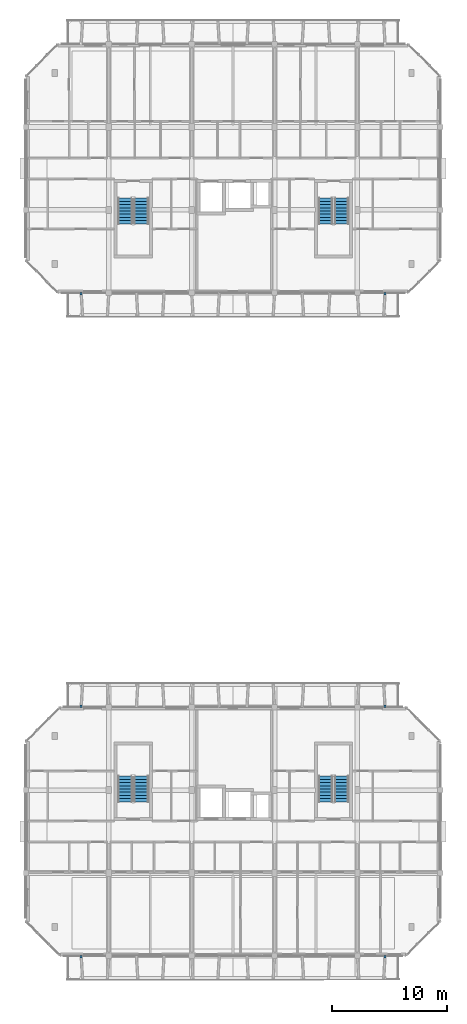
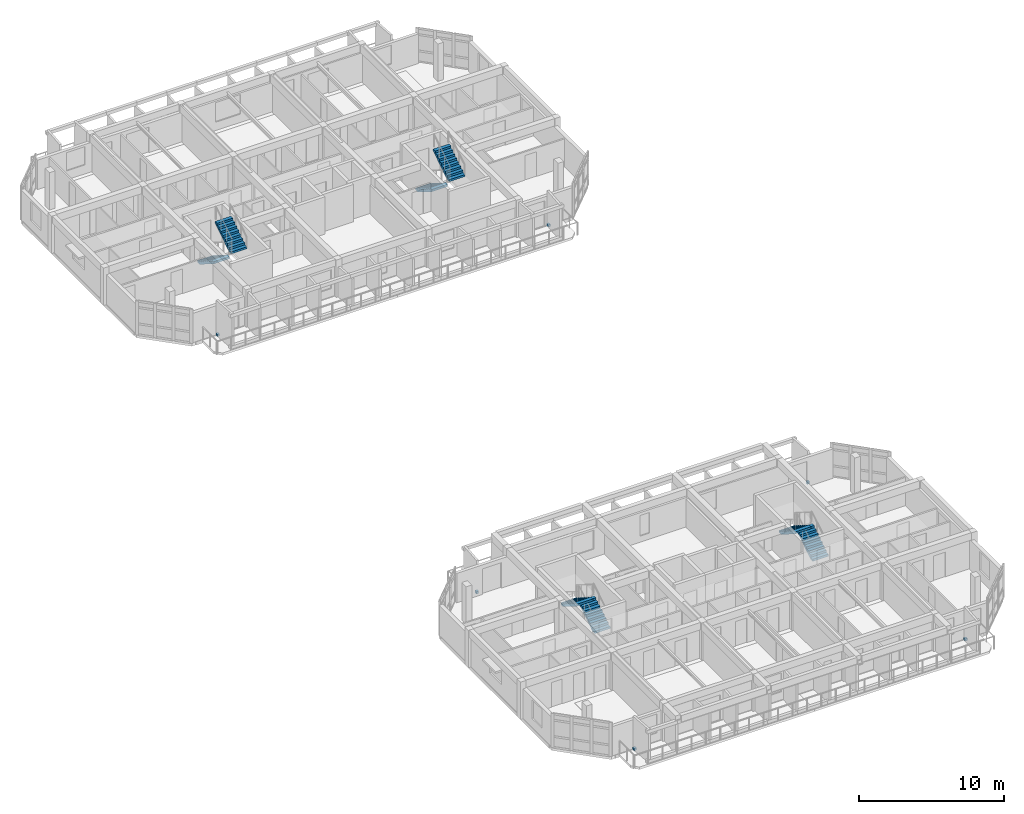
# One storey, part 15 of 22: 8 stair flights, 6 discrete accessories, 4 elements without a shape of their own.
"""IFC4 building model written with IfcOpenShell, lengths in metres."""

from ifc_helpers import new_model, si_unit, direction, frame, origin, origin_2d, place, context, subcontext, project, spatial, polyline, rectangle, outline, extrude, material, type_object, element, aggregate, save


model = new_model("IFC4")

# Units and contexts
model_context = context("Model", 3, precision=1e-05, world=origin(), true_north=direction((0.0, 1.0)))
body_context = subcontext(model_context, "Body", "Model", "MODEL_VIEW")
ifc_project = project(units=[si_unit("LENGTHUNIT", "METRE"), si_unit("AREAUNIT", "SQUARE_METRE"), si_unit("VOLUMEUNIT", "CUBIC_METRE"), si_unit("PLANEANGLEUNIT", "RADIAN"), si_unit("MASSUNIT", "GRAM", prefix="KILO")], contexts=[model_context])

# Site, building, storey
site_placement = place(None, origin())
site = spatial("IfcSite", under=ifc_project, at=site_placement, CompositionType="ELEMENT")
building_placement = place(site_placement, origin())
building = spatial("IfcBuilding", under=site, at=building_placement, Name="Ochrevale Crest", CompositionType="ELEMENT")
storey_placement = place(building_placement, frame((0.0, 0.0, 40.199951171875)))
storey = spatial("IfcBuildingStorey", under=building, at=storey_placement, Name="L12", CompositionType="ELEMENT", Elevation=40.199951171875)

# Stair, stair flights
ifc_material_1 = material(Name="Precast concrete C40/50", Category="concrete")
stair_type = type_object("IfcStairType", Name="ST-CORE-DOG", PredefinedType="HALF_TURN_STAIR", material=ifc_material_1)
stair_1_placement = place(storey_placement, origin())
stair_1 = element("IfcStair", 1, at=stair_1_placement, inside=storey, type_object=stair_type, Name="L12 Block C Fire Stair 1", PredefinedType="HALF_TURN_STAIR")
stair_flight_type = type_object("IfcStairFlightType", Name="SFL-CORE-125", PredefinedType="STRAIGHT", material=ifc_material_1)
stair_flight_1_placement = place(storey_placement, frame((139.625, 27.77490234375, 0.0), z_axis=(0.0, 0.0, 1.0), x_axis=(0.0, 1.0, 0.0)))
stair_flight_1 = element("IfcStairFlight", 2, at=stair_flight_1_placement, type_object=stair_flight_type, Name="ST-C1 flight 1", NumberOfRisers=9, NumberOfTreads=8, PredefinedType="STRAIGHT", RiserHeight=0.175, TreadLength=0.28, context=body_context, shape_type="SweptSolid", body=[
    extrude(outline(polyline([(0.0, 0.0), (0.0, 0.175048828125), (0.280029296875, 0.175048828125), (0.280029296875, 0.35009765625), (0.56005859375, 0.35009765625), (0.56005859375, 0.52490234375), (0.840087890625, 0.52490234375), (0.840087890625, 0.699951171875), (1.1201171875, 0.699951171875), (1.1201171875, 0.875), (1.39990234375, 0.875), (1.39990234375, 1.050048828125), (1.679931640625, 1.050048828125), (1.679931640625, 1.22509765625), (1.9599609375, 1.22509765625), (1.9599609375, 1.39990234375), (2.239990234375, 1.39990234375), (2.239990234375, 1.574951171875), (2.239990234375, 1.22314453125), (0.28271484375, 0.0), (0.0, 0.0)])), frame((0.0, 0.625, 0.0), z_axis=(0.0, -1.0, 0.0), x_axis=(1.0, 0.0, 0.0)), (0.0, 0.0, 1.0), 1.25),
])
stair_flight_2_placement = place(storey_placement, frame((138.22509765625, 30.014892578125, 1.574951171875), z_axis=(0.0, 0.0, 1.0), x_axis=(0.0, -1.0, 0.0)))
stair_flight_2 = element("IfcStairFlight", 3, at=stair_flight_2_placement, type_object=stair_flight_type, Name="ST-C1 flight 2", NumberOfRisers=9, NumberOfTreads=8, PredefinedType="STRAIGHT", RiserHeight=0.175, TreadLength=0.28, context=body_context, shape_type="SweptSolid", body=[
    extrude(outline(polyline([(0.0, 0.0), (0.0, 0.175048828125), (0.280029296875, 0.175048828125), (0.280029296875, 0.35009765625), (0.56005859375, 0.35009765625), (0.56005859375, 0.52490234375), (0.840087890625, 0.52490234375), (0.840087890625, 0.699951171875), (1.1201171875, 0.699951171875), (1.1201171875, 0.875), (1.39990234375, 0.875), (1.39990234375, 1.050048828125), (1.679931640625, 1.050048828125), (1.679931640625, 1.22509765625), (1.9599609375, 1.22509765625), (1.9599609375, 1.39990234375), (2.239990234375, 1.39990234375), (2.239990234375, 1.574951171875), (2.239990234375, 1.22314453125), (0.28271484375, 0.0), (0.0, 0.0)])), frame((0.0, 0.625, 0.0), z_axis=(0.0, -1.0, 0.0), x_axis=(1.0, 0.0, 0.0)), (0.0, 0.0, 1.0), 1.25),
])
aggregate(stair_1, [stair_flight_1, stair_flight_2])

stair_2_placement = place(storey_placement, origin())
stair_2 = element("IfcStair", 4, at=stair_2_placement, inside=storey, type_object=stair_type, Name="L12 Block C Fire Stair 2", PredefinedType="HALF_TURN_STAIR")
stair_flight_3_placement = place(storey_placement, frame((157.02490234375, 27.77490234375, 0.0), z_axis=(0.0, 0.0, 1.0), x_axis=(0.0, 1.0, 0.0)))
stair_flight_3 = element("IfcStairFlight", 5, at=stair_flight_3_placement, type_object=stair_flight_type, Name="ST-C2 flight 1", NumberOfRisers=9, NumberOfTreads=8, PredefinedType="STRAIGHT", RiserHeight=0.175, TreadLength=0.28, context=body_context, shape_type="SweptSolid", body=[
    extrude(outline(polyline([(0.0, 0.0), (0.0, 0.175048828125), (0.280029296875, 0.175048828125), (0.280029296875, 0.35009765625), (0.56005859375, 0.35009765625), (0.56005859375, 0.52490234375), (0.840087890625, 0.52490234375), (0.840087890625, 0.699951171875), (1.1201171875, 0.699951171875), (1.1201171875, 0.875), (1.39990234375, 0.875), (1.39990234375, 1.050048828125), (1.679931640625, 1.050048828125), (1.679931640625, 1.22509765625), (1.9599609375, 1.22509765625), (1.9599609375, 1.39990234375), (2.239990234375, 1.39990234375), (2.239990234375, 1.574951171875), (2.239990234375, 1.22314453125), (0.28271484375, 0.0), (0.0, 0.0)])), frame((0.0, 0.625, 0.0), z_axis=(0.0, -1.0, 0.0), x_axis=(1.0, 0.0, 0.0)), (0.0, 0.0, 1.0), 1.25),
])
stair_flight_4_placement = place(storey_placement, frame((155.625, 30.014892578125, 1.574951171875), z_axis=(0.0, 0.0, 1.0), x_axis=(0.0, -1.0, 0.0)))
stair_flight_4 = element("IfcStairFlight", 6, at=stair_flight_4_placement, type_object=stair_flight_type, Name="ST-C2 flight 2", NumberOfRisers=9, NumberOfTreads=8, PredefinedType="STRAIGHT", RiserHeight=0.175, TreadLength=0.28, context=body_context, shape_type="SweptSolid", body=[
    extrude(outline(polyline([(0.0, 0.0), (0.0, 0.175048828125), (0.280029296875, 0.175048828125), (0.280029296875, 0.35009765625), (0.56005859375, 0.35009765625), (0.56005859375, 0.52490234375), (0.840087890625, 0.52490234375), (0.840087890625, 0.699951171875), (1.1201171875, 0.699951171875), (1.1201171875, 0.875), (1.39990234375, 0.875), (1.39990234375, 1.050048828125), (1.679931640625, 1.050048828125), (1.679931640625, 1.22509765625), (1.9599609375, 1.22509765625), (1.9599609375, 1.39990234375), (2.239990234375, 1.39990234375), (2.239990234375, 1.574951171875), (2.239990234375, 1.22314453125), (0.28271484375, 0.0), (0.0, 0.0)])), frame((0.0, 0.625, 0.0), z_axis=(0.0, -1.0, 0.0), x_axis=(1.0, 0.0, 0.0)), (0.0, 0.0, 1.0), 1.25),
])
aggregate(stair_2, [stair_flight_3, stair_flight_4])

stair_3_placement = place(storey_placement, origin())
stair_3 = element("IfcStair", 7, at=stair_3_placement, inside=storey, type_object=stair_type, Name="L12 Block D Fire Stair 1", PredefinedType="HALF_TURN_STAIR")
stair_flight_5_placement = place(storey_placement, frame((138.22509765625, 80.22509765625, 0.0), z_axis=(0.0, 0.0, 1.0), x_axis=(0.0, -1.0, 0.0)))
stair_flight_5 = element("IfcStairFlight", 8, at=stair_flight_5_placement, type_object=stair_flight_type, Name="ST-D1 flight 1", NumberOfRisers=9, NumberOfTreads=8, PredefinedType="STRAIGHT", RiserHeight=0.175, TreadLength=0.28, context=body_context, shape_type="SweptSolid", body=[
    extrude(outline(polyline([(0.0, 0.0), (0.0, 0.175048828125), (0.280029296875, 0.175048828125), (0.280029296875, 0.35009765625), (0.56005859375, 0.35009765625), (0.56005859375, 0.52490234375), (0.840087890625, 0.52490234375), (0.840087890625, 0.699951171875), (1.1201171875, 0.699951171875), (1.1201171875, 0.875), (1.39990234375, 0.875), (1.39990234375, 1.050048828125), (1.679931640625, 1.050048828125), (1.679931640625, 1.22509765625), (1.9599609375, 1.22509765625), (1.9599609375, 1.39990234375), (2.239990234375, 1.39990234375), (2.239990234375, 1.574951171875), (2.239990234375, 1.22314453125), (0.28271484375, 0.0), (0.0, 0.0)])), frame((0.0, 0.625, 0.0), z_axis=(0.0, -1.0, 0.0), x_axis=(1.0, 0.0, 0.0)), (0.0, 0.0, 1.0), 1.25),
])
stair_flight_6_placement = place(storey_placement, frame((139.625, 77.985107421875, 1.574951171875), z_axis=(0.0, 0.0, 1.0), x_axis=(0.0, 1.0, 0.0)))
stair_flight_6 = element("IfcStairFlight", 9, at=stair_flight_6_placement, type_object=stair_flight_type, Name="ST-D1 flight 2", NumberOfRisers=9, NumberOfTreads=8, PredefinedType="STRAIGHT", RiserHeight=0.175, TreadLength=0.28, context=body_context, shape_type="SweptSolid", body=[
    extrude(outline(polyline([(0.0, 0.0), (0.0, 0.175048828125), (0.280029296875, 0.175048828125), (0.280029296875, 0.35009765625), (0.56005859375, 0.35009765625), (0.56005859375, 0.52490234375), (0.840087890625, 0.52490234375), (0.840087890625, 0.699951171875), (1.1201171875, 0.699951171875), (1.1201171875, 0.875), (1.39990234375, 0.875), (1.39990234375, 1.050048828125), (1.679931640625, 1.050048828125), (1.679931640625, 1.22509765625), (1.9599609375, 1.22509765625), (1.9599609375, 1.39990234375), (2.239990234375, 1.39990234375), (2.239990234375, 1.574951171875), (2.239990234375, 1.22314453125), (0.28271484375, 0.0), (0.0, 0.0)])), frame((0.0, 0.625, 0.0), z_axis=(0.0, -1.0, 0.0), x_axis=(1.0, 0.0, 0.0)), (0.0, 0.0, 1.0), 1.25),
])
aggregate(stair_3, [stair_flight_5, stair_flight_6])

stair_4_placement = place(storey_placement, origin())
stair_4 = element("IfcStair", 10, at=stair_4_placement, inside=storey, type_object=stair_type, Name="L12 Block D Fire Stair 2", PredefinedType="HALF_TURN_STAIR")
stair_flight_7_placement = place(storey_placement, frame((155.625, 80.22509765625, 0.0), z_axis=(0.0, 0.0, 1.0), x_axis=(0.0, -1.0, 0.0)))
stair_flight_7 = element("IfcStairFlight", 11, at=stair_flight_7_placement, type_object=stair_flight_type, Name="ST-D2 flight 1", NumberOfRisers=9, NumberOfTreads=8, PredefinedType="STRAIGHT", RiserHeight=0.175, TreadLength=0.28, context=body_context, shape_type="SweptSolid", body=[
    extrude(outline(polyline([(0.0, 0.0), (0.0, 0.175048828125), (0.280029296875, 0.175048828125), (0.280029296875, 0.35009765625), (0.56005859375, 0.35009765625), (0.56005859375, 0.52490234375), (0.840087890625, 0.52490234375), (0.840087890625, 0.699951171875), (1.1201171875, 0.699951171875), (1.1201171875, 0.875), (1.39990234375, 0.875), (1.39990234375, 1.050048828125), (1.679931640625, 1.050048828125), (1.679931640625, 1.22509765625), (1.9599609375, 1.22509765625), (1.9599609375, 1.39990234375), (2.239990234375, 1.39990234375), (2.239990234375, 1.574951171875), (2.239990234375, 1.22314453125), (0.28271484375, 0.0), (0.0, 0.0)])), frame((0.0, 0.625, 0.0), z_axis=(0.0, -1.0, 0.0), x_axis=(1.0, 0.0, 0.0)), (0.0, 0.0, 1.0), 1.25),
])
stair_flight_8_placement = place(storey_placement, frame((157.02490234375, 77.985107421875, 1.574951171875), z_axis=(0.0, 0.0, 1.0), x_axis=(0.0, 1.0, 0.0)))
stair_flight_8 = element("IfcStairFlight", 12, at=stair_flight_8_placement, type_object=stair_flight_type, Name="ST-D2 flight 2", NumberOfRisers=9, NumberOfTreads=8, PredefinedType="STRAIGHT", RiserHeight=0.175, TreadLength=0.28, context=body_context, shape_type="SweptSolid", body=[
    extrude(outline(polyline([(0.0, 0.0), (0.0, 0.175048828125), (0.280029296875, 0.175048828125), (0.280029296875, 0.35009765625), (0.56005859375, 0.35009765625), (0.56005859375, 0.52490234375), (0.840087890625, 0.52490234375), (0.840087890625, 0.699951171875), (1.1201171875, 0.699951171875), (1.1201171875, 0.875), (1.39990234375, 0.875), (1.39990234375, 1.050048828125), (1.679931640625, 1.050048828125), (1.679931640625, 1.22509765625), (1.9599609375, 1.22509765625), (1.9599609375, 1.39990234375), (2.239990234375, 1.39990234375), (2.239990234375, 1.574951171875), (2.239990234375, 1.22314453125), (0.28271484375, 0.0), (0.0, 0.0)])), frame((0.0, 0.625, 0.0), z_axis=(0.0, -1.0, 0.0), x_axis=(1.0, 0.0, 0.0)), (0.0, 0.0, 1.0), 1.25),
])
aggregate(stair_4, [stair_flight_7, stair_flight_8])

# Discrete accessories
ifc_material_2 = material(Name="Galvanised steel", Category="steel")
discrete_accessory_type = type_object("IfcDiscreteAccessoryType", Name="ACC-BRK-HC", PredefinedType="BRACKET", material=ifc_material_2)
for number, where, z_axis, x_axis, name in (
    (13, (134.39990234375, 14.300048828125, 0.0), (0.0, 0.0, 1.0), (1.0, 0.0, 0.0), "Block C L12 precast loggia corbel bracket"),
    (14, (160.800048828125, 14.300048828125, 0.0), (0.0, 0.0, 1.0), (1.0, 0.0, 0.0), "Block C L12 precast loggia corbel bracket"),
    (15, (134.39990234375, 36.10009765625, 0.0), (0.0, 0.0, 1.0), (1.0, 0.0, 0.0), "Block C L12 precast loggia corbel bracket"),
    (16, (160.800048828125, 36.10009765625, 0.0), (0.0, 0.0, 1.0), (1.0, 0.0, 0.0), "Block C L12 precast loggia corbel bracket"),
    (17, (134.39990234375, 71.89990234375, 0.0), (0.0, 0.0, 1.0), (1.0, 0.0, 0.0), "Block D L12 precast loggia corbel bracket"),
    (18, (160.800048828125, 71.89990234375, 0.0), (0.0, 0.0, 1.0), (1.0, 0.0, 0.0), "Block D L12 precast loggia corbel bracket"),
):
    element("IfcDiscreteAccessory", number, at=place(storey_placement, frame(where, z_axis=z_axis, x_axis=x_axis)), inside=storey, type_object=discrete_accessory_type, Name=name, PredefinedType="BRACKET", context=body_context, shape_type="SweptSolid", body=[
        extrude(rectangle(XDim=0.179931640625, YDim=0.219970703125, at=origin_2d()), origin(), (0.0, 0.0, 1.0), 0.179931640625),
    ])

save(model, "model.ifc")
